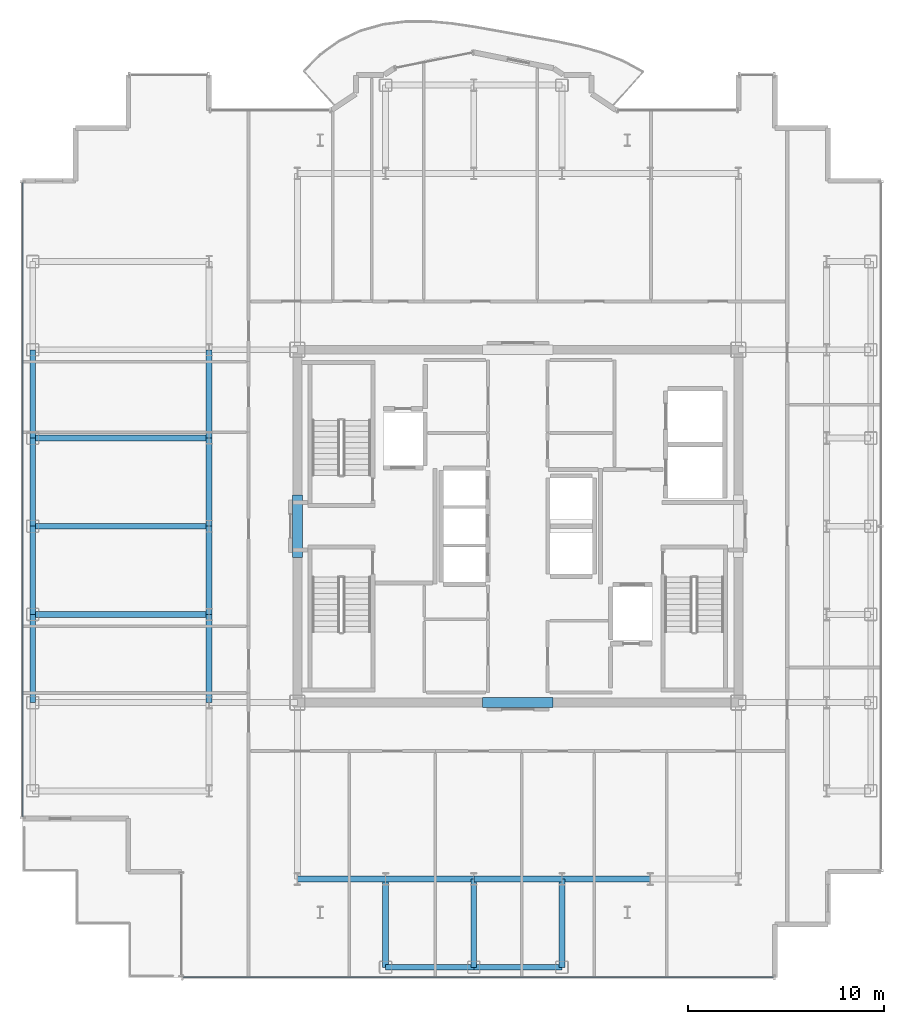
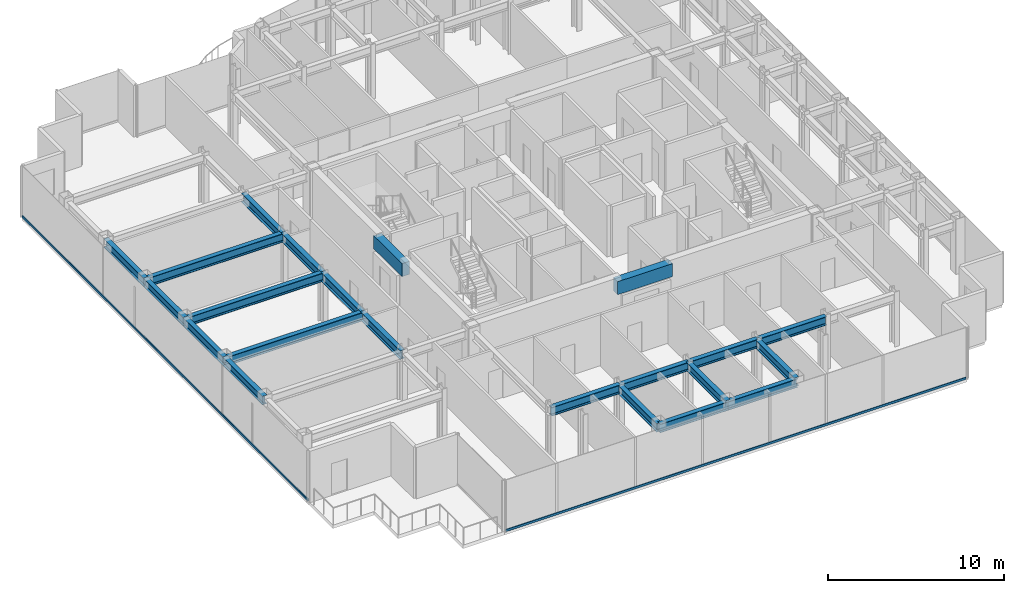
# One storey, part 3 of 17: 22 beams, 2 members, 2 elements without a shape of their own.
"""IFC4 building model written with IfcOpenShell, lengths in metres."""

from ifc_helpers import new_model, si_unit, direction, frame, origin, origin_2d, place, context, subcontext, project, spatial, rectangle, hollow_rectangle, i_section, extrude, source, transform, mapped, material, layer, layer_set, material_profile, profile_set, type_object, element, aggregate, save


model = new_model("IFC4")

# Units and contexts
model_context = context("Model", 3, precision=1e-05, world=origin(), true_north=direction((0.0, 1.0)))
body_context = subcontext(model_context, "Body", "Model", "MODEL_VIEW")
ifc_project = project(units=[si_unit("LENGTHUNIT", "METRE"), si_unit("AREAUNIT", "SQUARE_METRE"), si_unit("VOLUMEUNIT", "CUBIC_METRE"), si_unit("PLANEANGLEUNIT", "RADIAN"), si_unit("MASSUNIT", "GRAM", prefix="KILO")], contexts=[model_context])

# Site, building, storey
site_placement = place(None, origin())
site = spatial("IfcSite", under=ifc_project, at=site_placement, CompositionType="ELEMENT")
building_placement = place(site_placement, origin())
building = spatial("IfcBuilding", under=site, at=building_placement, Name="Nefas-Gora Pilgrimage Tower", CompositionType="ELEMENT")
storey_placement = place(building_placement, frame((0.0, 0.0, 279.800048828125)))
storey = spatial("IfcBuildingStorey", under=building, at=storey_placement, Name="L70", CompositionType="ELEMENT", Elevation=279.800048828125)

# Beams
ifc_material_1 = material(Name="Concrete C50/60", Category="concrete")
ifc_material_profile_1 = material_profile(ifc_material_1, rectangle(XDim=0.5, YDim=0.89990234375, at=origin_2d()), Name="RC 500x900")
ifc_profile_set_1 = profile_set([ifc_material_profile_1], Name="Concrete C50/60")
beam_type_1 = type_object("IfcBeamType", Name="BM-LIN-RC900", PredefinedType="LINTEL", material=ifc_profile_set_1)
shared_shape_1 = source(origin(), body_context, "Body", "SweptSolid", [
    extrude(rectangle(XDim=0.5, YDim=0.89990234375, at=origin_2d()), origin(), (0.0, 0.0, 1.0), 3.60009765625),
])
beam_1_placement = place(storey_placement, frame((-1.800048828125, -9.0, 3.099853515625), z_axis=(1.0, 0.0, 0.0), x_axis=(0.0, 1.0, 0.0)))
element("IfcBeam", 1, at=beam_1_placement, inside=storey, type_object=beam_type_1, Name="L70 Core Coupling Lintel Beam S", PredefinedType="LINTEL", context=body_context, shape_type="MappedRepresentation", body=[
    mapped(shared_shape_1, transform((0.0, 0.0, 0.0), x_axis=(1.0, 0.0, 0.0), y_axis=(0.0, 1.0, 0.0), z_axis=(0.0, 0.0, 1.0), scale=1.0)),
])
shared_shape_2 = source(origin(), body_context, "Body", "SweptSolid", [
    extrude(rectangle(XDim=0.5, YDim=0.89990234375, at=origin_2d()), origin(), (0.0, 0.0, 1.0), 3.2001953125),
])
beam_2_placement = place(storey_placement, frame((-11.25, -1.60009765625, 3.099853515625), z_axis=(0.0, 1.0, 0.0), x_axis=(-1.0, 0.0, 0.0)))
element("IfcBeam", 2, at=beam_2_placement, inside=storey, type_object=beam_type_1, Name="L70 Core Coupling Lintel Beam W", PredefinedType="LINTEL", context=body_context, shape_type="MappedRepresentation", body=[
    mapped(shared_shape_2, transform((0.0, 0.0, 0.0), x_axis=(1.0, 0.0, 0.0), y_axis=(0.0, 1.0, 0.0), z_axis=(0.0, 0.0, 1.0), scale=1.0)),
])
ifc_material_2 = material(Name="Steel S355", Category="steel")
ifc_material_profile_2 = material_profile(ifc_material_2, i_section(OverallWidth=0.300048828125, OverallDepth=0.60009765625, WebThickness=0.015380859375, FlangeThickness=0.030029296875, FilletRadius=0.027099609375, at=origin_2d()), Name="HEB 600")
ifc_profile_set_2 = profile_set([ifc_material_profile_2], Name="Steel S355")
beam_type_2 = type_object("IfcBeamType", Name="BM-SPN-HEB450", PredefinedType="SPANDREL", material=ifc_profile_set_2)
shared_shape_3 = source(origin(), body_context, "Body", "SweptSolid", [
    extrude(i_section(OverallWidth=0.300048828125, OverallDepth=0.60009765625, WebThickness=0.015380859375, FlangeThickness=0.030029296875, FilletRadius=0.027099609375, at=origin_2d()), origin(), (0.0, 0.0, 1.0), 4.5),
])
for number, where, z_axis, x_axis, name in (
    (3, (-24.75, -9.0, 3.25), (0.0, 1.0, 0.0), (-1.0, 0.0, 0.0), "L70 SP-03 beam"),
    (4, (-24.75, -4.5, 3.25), (0.0, 1.0, 0.0), (-1.0, 0.0, 0.0), "L70 SP-03 beam"),
    (5, (-24.75, 0.0, 3.25), (0.0, 1.0, 0.0), (-1.0, 0.0, 0.0), "L70 SP-03 beam"),
    (6, (-24.75, 4.5, 3.25), (0.0, 1.0, 0.0), (-1.0, 0.0, 0.0), "L70 SP-03 beam"),
    (7, (-6.75, -22.5, 3.25), (1.0, 0.0, 0.0), (0.0, 1.0, 0.0), "L70 SP-03 beam"),
    (8, (-2.25, -22.5, 3.25), (1.0, 0.0, 0.0), (0.0, 1.0, 0.0), "L70 SP-03 beam"),
):
    element("IfcBeam", number, at=place(storey_placement, frame(where, z_axis=z_axis, x_axis=x_axis)), inside=storey, type_object=beam_type_2, Name=name, PredefinedType="SPANDREL", context=body_context, shape_type="MappedRepresentation", body=[
        mapped(shared_shape_3, transform((0.0, 0.0, 0.0), x_axis=(1.0, 0.0, 0.0), y_axis=(0.0, 1.0, 0.0), z_axis=(0.0, 0.0, 1.0), scale=1.0)),
    ])
ifc_material_profile_3 = material_profile(ifc_material_2, i_section(OverallWidth=0.300048828125, OverallDepth=0.60009765625, WebThickness=0.015380859375, FlangeThickness=0.030029296875, FilletRadius=0.027099609375, at=origin_2d()), Name="HEB 600")
ifc_profile_set_3 = profile_set([ifc_material_profile_3], Name="Steel S355")
beam_type_3 = type_object("IfcBeamType", Name="BM-GIR-HEB600", PredefinedType="BEAM", material=ifc_profile_set_3)
shared_shape_4 = source(origin(), body_context, "Body", "SweptSolid", [
    extrude(i_section(OverallWidth=0.300048828125, OverallDepth=0.60009765625, WebThickness=0.015380859375, FlangeThickness=0.030029296875, FilletRadius=0.027099609375, at=origin_2d()), origin(), (0.0, 0.0, 1.0), 9.0),
])
for number, where, z_axis, x_axis, name in (
    (9, (-24.75, -4.5, 3.25), (1.0, 0.0, 0.0), (0.0, 1.0, 0.0), "L70 G-04 beam"),
    (10, (-24.75, 0.0, 3.25), (1.0, 0.0, 0.0), (0.0, 1.0, 0.0), "L70 G-04 beam"),
    (11, (-24.75, 4.5, 3.25), (1.0, 0.0, 0.0), (0.0, 1.0, 0.0), "L70 G-04 beam"),
):
    element("IfcBeam", number, at=place(storey_placement, frame(where, z_axis=z_axis, x_axis=x_axis)), inside=storey, type_object=beam_type_3, Name=name, PredefinedType="BEAM", context=body_context, shape_type="MappedRepresentation", body=[
        mapped(shared_shape_4, transform((0.0, 0.0, 0.0), x_axis=(1.0, 0.0, 0.0), y_axis=(0.0, 1.0, 0.0), z_axis=(0.0, 0.0, 1.0), scale=1.0)),
    ])
shared_shape_5 = source(origin(), body_context, "Body", "SweptSolid", [
    extrude(i_section(OverallWidth=0.300048828125, OverallDepth=0.60009765625, WebThickness=0.015380859375, FlangeThickness=0.030029296875, FilletRadius=0.027099609375, at=origin_2d()), origin(), (0.0, 0.0, 1.0), 4.5),
])
for number, where, z_axis, x_axis, name in (
    (12, (-15.75, -9.0, 3.25), (0.0, 1.0, 0.0), (-1.0, 0.0, 0.0), "L70 G-04 beam"),
    (13, (-15.75, -4.5, 3.25), (0.0, 1.0, 0.0), (-1.0, 0.0, 0.0), "L70 G-04 beam"),
    (14, (-15.75, 0.0, 3.25), (0.0, 1.0, 0.0), (-1.0, 0.0, 0.0), "L70 G-04 beam"),
    (15, (-15.75, 4.5, 3.25), (0.0, 1.0, 0.0), (-1.0, 0.0, 0.0), "L70 G-04 beam"),
    (16, (-11.25, -18.0, 3.25), (1.0, 0.0, 0.0), (0.0, 1.0, 0.0), "L70 G-04 beam"),
    (17, (-6.75, -22.5, 3.25), (0.0, 1.0, 0.0), (-1.0, 0.0, 0.0), "L70 G-04 beam"),
    (18, (-6.75, -18.0, 3.25), (1.0, 0.0, 0.0), (0.0, 1.0, 0.0), "L70 G-04 beam"),
    (19, (-2.25, -22.5, 3.25), (0.0, 1.0, 0.0), (-1.0, 0.0, 0.0), "L70 G-04 beam"),
    (20, (-2.25, -18.0, 3.25), (1.0, 0.0, 0.0), (0.0, 1.0, 0.0), "L70 G-04 beam"),
    (21, (2.25, -22.5, 3.25), (0.0, 1.0, 0.0), (-1.0, 0.0, 0.0), "L70 G-04 beam"),
    (22, (2.25, -18.0, 3.25), (1.0, 0.0, 0.0), (0.0, 1.0, 0.0), "L70 G-04 beam"),
):
    element("IfcBeam", number, at=place(storey_placement, frame(where, z_axis=z_axis, x_axis=x_axis)), inside=storey, type_object=beam_type_3, Name=name, PredefinedType="BEAM", context=body_context, shape_type="MappedRepresentation", body=[
        mapped(shared_shape_5, transform((0.0, 0.0, 0.0), x_axis=(1.0, 0.0, 0.0), y_axis=(0.0, 1.0, 0.0), z_axis=(0.0, 0.0, 1.0), scale=1.0)),
    ])

# Curtain wall, member
ifc_material_3 = material(Name="Dark ceramic-fritted solar-control aluminium-glass curtain wall", Category="aluminium")
ifc_layer = layer(ifc_material_3, 0.219970703125)
ifc_layer_set = layer_set([ifc_layer], Name="Dark ceramic-fritted solar-control aluminium-glass curtain wall")
curtain_wall_type = type_object("IfcCurtainWallType", Name="CW-SYS-4", PredefinedType="NOTDEFINED", material=ifc_layer_set)
curtain_wall_1_placement = place(storey_placement, origin())
curtain_wall_1 = element("IfcCurtainWall", 23, at=curtain_wall_1_placement, inside=storey, type_object=curtain_wall_type, Name="L70 Unitised Curtain Wall CW4", PredefinedType="NOTDEFINED")
ifc_material_4 = material(Name="Anodised architectural aluminium", Category="aluminium")
ifc_material_profile_4 = material_profile(ifc_material_4, hollow_rectangle(XDim=0.080078125, YDim=0.159912109375, WallThickness=0.00439453125, InnerFilletRadius=0.00439453125, OuterFilletRadius=0.009033203125, at=origin_2d()), Name="ALU TRANSOM 80x160")
ifc_profile_set_4 = profile_set([ifc_material_profile_4], Name="Anodised architectural aluminium")
member_type = type_object("IfcMemberType", Name="CWM-TRN-4", PredefinedType="USERDEFINED", material=ifc_profile_set_4)
shared_shape_6 = source(origin(), body_context, "Body", "SweptSolid", [
    extrude(hollow_rectangle(XDim=0.080078125, YDim=0.159912109375, WallThickness=0.00439453125, InnerFilletRadius=0.00439453125, OuterFilletRadius=0.009033203125, at=origin_2d()), origin(), (0.0, 0.0, 1.0), 32.360107421875),
])
member_1_placement = place(storey_placement, frame((-25.27001953125, 17.530029296875, 0.050048828125), z_axis=(0.0, -1.0, 0.0), x_axis=(1.0, 0.0, 0.0)))
member_1 = element("IfcMember", 24, at=member_1_placement, type_object=member_type, Name="CW4 Spandrel Transom", ObjectType="TRANSOM", PredefinedType="USERDEFINED", context=body_context, shape_type="MappedRepresentation", body=[
    mapped(shared_shape_6, transform((0.0, 0.0, 0.0), x_axis=(1.0, 0.0, 0.0), y_axis=(0.0, 1.0, 0.0), z_axis=(0.0, 0.0, 1.0), scale=1.0)),
])
aggregate(curtain_wall_1, [member_1])

curtain_wall_2_placement = place(storey_placement, origin())
curtain_wall_2 = element("IfcCurtainWall", 25, at=curtain_wall_2_placement, inside=storey, type_object=curtain_wall_type, Name="L70 Unitised Curtain Wall CW4", PredefinedType="NOTDEFINED")
shared_shape_7 = source(origin(), body_context, "Body", "SweptSolid", [
    extrude(hollow_rectangle(XDim=0.080078125, YDim=0.159912109375, WallThickness=0.00439453125, InnerFilletRadius=0.00439453125, OuterFilletRadius=0.009033203125, at=origin_2d()), origin(), (0.0, 0.0, 1.0), 30.110107421875),
])
member_2_placement = place(storey_placement, frame((-17.080078125, -23.02001953125, 0.050048828125), z_axis=(1.0, 0.0, 0.0), x_axis=(0.0, 1.0, 0.0)))
member_2 = element("IfcMember", 26, at=member_2_placement, type_object=member_type, Name="CW4 Spandrel Transom", ObjectType="TRANSOM", PredefinedType="USERDEFINED", context=body_context, shape_type="MappedRepresentation", body=[
    mapped(shared_shape_7, transform((0.0, 0.0, 0.0), x_axis=(1.0, 0.0, 0.0), y_axis=(0.0, 1.0, 0.0), z_axis=(0.0, 0.0, 1.0), scale=1.0)),
])
aggregate(curtain_wall_2, [member_2])

save(model, "model.ifc")
